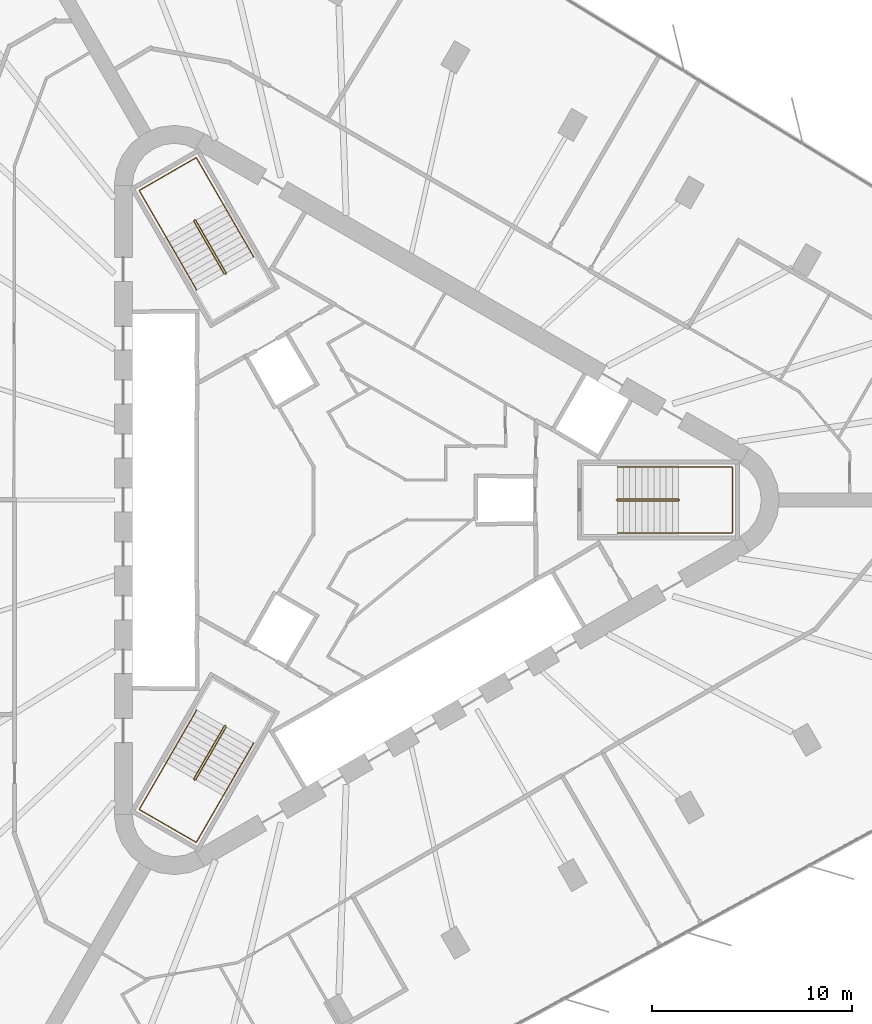
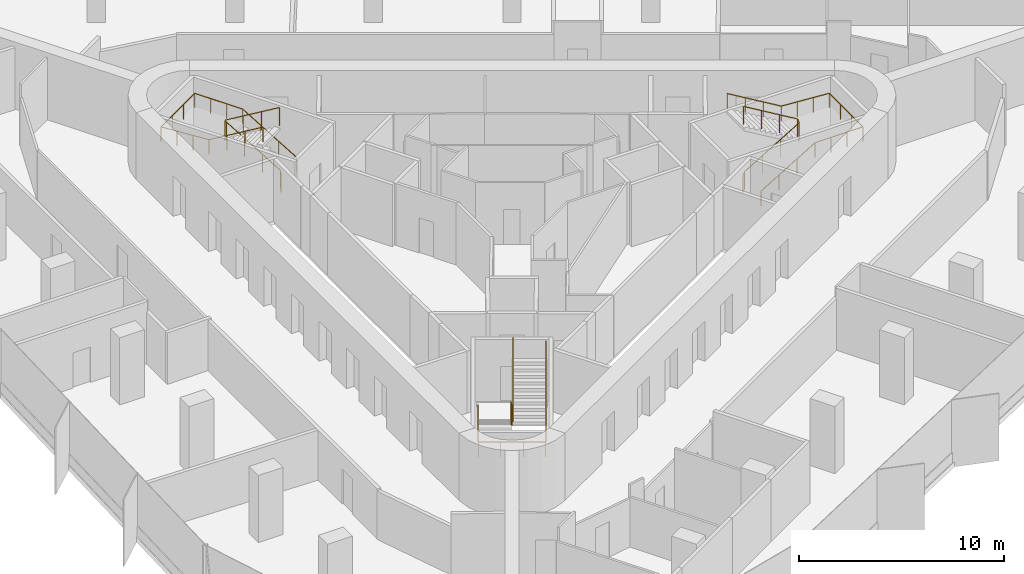
# One storey, part 14 of 14: 6 railings.
"""IFC4 building model written with IfcOpenShell, lengths in metres."""

import ifcopenshell
import ifcopenshell.guid

model = None  # the IFC model being written
_history = None  # IfcOwnerHistory: only IFC2X3 demands one
_inside = {}  # id of a spatial element -> (the spatial element, [elements in it])
_under = {}  # id of a project, library or spatial element -> (it, [spatial elements below it])
_declared = {}  # id of a project -> (the project, [libraries it declares])
_typed = {}  # id of a type object -> (the type object, [elements of that type])
_made_of = {}  # id of a material, layer set ... -> (it, [elements and type objects made of it])


def new_model(schema):
    """Start an empty IFC model of exactly this schema.

    Asked for "IFC4X3", IfcOpenShell would pick the latest addendum, in which some entities
    have other attributes; the version numbers below select the first issue.
    IFC2X3 requires an IfcOwnerHistory on every rooted entity: one is made here for all.
    """
    global model, _history
    if schema == "IFC4X3":
        model = ifcopenshell.file(schema_version=(4, 3, 0, 0))
    else:
        model = ifcopenshell.file(schema=schema)
    _inside.clear()
    _under.clear()
    _declared.clear()
    _typed.clear()
    _made_of.clear()
    _history = None
    if model.schema == "IFC2X3":
        org = make("IfcOrganization", Name="unknown")
        user = make(
            "IfcPersonAndOrganization",
            ThePerson=make("IfcPerson", FamilyName="unknown"),
            TheOrganization=org,
        )
        app = make(
            "IfcApplication",
            ApplicationDeveloper=org,
            Version="unknown",
            ApplicationFullName="unknown",
            ApplicationIdentifier="unknown",
        )
        _history = make(
            "IfcOwnerHistory",
            OwningUser=user,
            OwningApplication=app,
            ChangeAction="ADDED",
            CreationDate=0,
        )
    return model


def make(cls, **values):
    """One entity of the class cls with the attributes given. An attribute that is None is left unset."""
    return model.create_entity(
        cls, **{name: value for name, value in values.items() if value is not None}
    )


def rooted(cls, **values):
    """An entity with a GlobalId (a new one), such as an element, a storey or a relation."""
    return make(cls, GlobalId=ifcopenshell.guid.new(), OwnerHistory=_history, **values)


def si_unit(unit_type, name, prefix=None):
    """IfcSIUnit, for example si_unit("LENGTHUNIT", "METRE", prefix="MILLI")."""
    return make("IfcSIUnit", UnitType=unit_type, Prefix=prefix, Name=name)


def assignment(units):
    """IfcUnitAssignment: the units of a project."""
    return None if units is None else make("IfcUnitAssignment", Units=units)


def point(xyz):
    """IfcCartesianPoint."""
    return None if xyz is None else make("IfcCartesianPoint", Coordinates=xyz)


def direction(xyz):
    """IfcDirection."""
    return None if xyz is None else make("IfcDirection", DirectionRatios=xyz)


def frame(location, z_axis=None, x_axis=None):
    """IfcAxis2Placement3D, a coordinate frame: its origin and axes. An axis left out is left unset."""
    return make(
        "IfcAxis2Placement3D",
        Location=point(location),
        Axis=direction(z_axis),
        RefDirection=direction(x_axis),
    )


def frame_2d(location, x_axis=None):
    """IfcAxis2Placement2D, a coordinate frame in the plane: its origin and x axis."""
    return make(
        "IfcAxis2Placement2D", Location=point(location), RefDirection=direction(x_axis)
    )


def origin():
    """The frame at (0, 0, 0) with its axes left unset."""
    return frame((0.0, 0.0, 0.0))


def origin_2d():
    """The frame at (0, 0) in the plane with its x axis left unset."""
    return frame_2d((0.0, 0.0))


def place(relative_to, where):
    """IfcLocalPlacement: puts the frame where relative to a parent placement (None: the world)."""
    return make(
        "IfcLocalPlacement", PlacementRelTo=relative_to, RelativePlacement=where
    )


def context(
    kind, dimensions, precision=None, world=None, true_north=None, identifier=None
):
    """IfcGeometricRepresentationContext, for example the 3D "Model" context."""
    return make(
        "IfcGeometricRepresentationContext",
        ContextIdentifier=identifier,
        ContextType=kind,
        CoordinateSpaceDimension=dimensions,
        Precision=precision,
        WorldCoordinateSystem=world,
        TrueNorth=true_north,
    )


def subcontext(parent, identifier, kind, view, scale=None):
    """IfcGeometricRepresentationSubContext, for example "Body" below "Model"."""
    return make(
        "IfcGeometricRepresentationSubContext",
        ContextIdentifier=identifier,
        ContextType=kind,
        ParentContext=parent,
        TargetScale=scale,
        TargetView=view,
    )


def project(units=None, contexts=None):
    """IfcProject with its units and contexts."""
    return rooted(
        "IfcProject",
        Name="project",
        RepresentationContexts=contexts,
        UnitsInContext=assignment(units),
    )


def spatial(cls, under=None, at=None, **own):
    """A site, building, storey or space (cls), placed at a placement, below another one or the project."""
    s = rooted(cls, ObjectPlacement=at, **own)
    if under is not None:
        _under.setdefault(under.id(), (under, []))[1].append(s)
    return s


def profile(cls, at=None, kind="AREA", **sizes):
    """A parametric profile (cls). Its sizes go by their IFC names, for example OverallWidth=200.0."""
    return make(cls, ProfileType=kind, Position=at, **sizes)


def circle(**sizes):
    """IfcCircleProfileDef."""
    return profile("IfcCircleProfileDef", **sizes)


def extrude(swept, where, along, depth):
    """IfcExtrudedAreaSolid: the profile swept, set in the frame where, extruded along a direction by depth."""
    return make(
        "IfcExtrudedAreaSolid",
        SweptArea=swept,
        Position=where,
        ExtrudedDirection=direction(along),
        Depth=depth,
    )


def shape(context_of_items, identifier, shape_type, items):
    """IfcShapeRepresentation: the items that make up one representation, for example the "Body"."""
    return make(
        "IfcShapeRepresentation",
        ContextOfItems=context_of_items,
        RepresentationIdentifier=identifier,
        RepresentationType=shape_type,
        Items=items,
    )


def material(Name=None, Category=None):
    """IfcMaterial."""
    return make("IfcMaterial", Name=Name, Category=Category)


def made_of(thing, what):
    """Note that an element or type object is made of a material, layer set ...; save() writes the relation."""
    if what is not None:
        _made_of.setdefault(what.id(), (what, []))[1].append(thing)
    return thing


def type_object(cls, material=None, **own):
    """A type object (cls), such as IfcWallType, which elements share."""
    return made_of(rooted(cls, **own), material)


def element(
    cls,
    number,
    at=None,
    inside=None,
    cuts=None,
    type_object=None,
    material=None,
    context=None,
    identifier="Body",
    shape_type=None,
    held_by="IfcProductDefinitionShape",
    body=None,
    shapes=None,
    **own,
):
    """One element of the class cls, such as IfcWall. Its Tag is "e" and its number.

    at: its placement. inside: the storey or other place that contains it. cuts: it is an
    opening in that element (IfcRelVoidsElement). A single representation is given by context,
    identifier, shape_type and body (its items); several are given by shapes. held_by: the class
    of the entity that holds the representations. save() writes the other relations.
    """
    e = rooted(cls, Tag="e%d" % number, ObjectPlacement=at, **own)
    if body is not None:
        shapes = [shape(context, identifier, shape_type, body)]
    if shapes is not None:
        e.Representation = make(held_by, Representations=shapes)
    if inside is not None:
        _inside.setdefault(inside.id(), (inside, []))[1].append(e)
    if cuts is not None:
        rooted(
            "IfcRelVoidsElement", RelatingBuildingElement=cuts, RelatedOpeningElement=e
        )
    if type_object is not None:
        _typed.setdefault(type_object.id(), (type_object, []))[1].append(e)
    return made_of(e, material)


def aggregate(whole, parts):
    """IfcRelAggregates: a whole, such as a stair, and the parts it consists of."""
    return rooted("IfcRelAggregates", RelatingObject=whole, RelatedObjects=parts)


def save(model, path):
    """Write the relations noted so far, then the file.

    IfcRelAggregates (storeys below a building ...), IfcRelContainedInSpatialStructure (elements
    in a storey), IfcRelDefinesByType, IfcRelAssociatesMaterial and IfcRelDeclares: one each for
    every whole, place, type object, material and project.
    """
    for whole, parts in _under.values():
        aggregate(whole, parts)
    for where, things in _inside.values():
        rooted(
            "IfcRelContainedInSpatialStructure",
            RelatedElements=things,
            RelatingStructure=where,
        )
    for kind, things in _typed.values():
        rooted("IfcRelDefinesByType", RelatedObjects=things, RelatingType=kind)
    for what, things in _made_of.values():
        rooted("IfcRelAssociatesMaterial", RelatedObjects=things, RelatingMaterial=what)
    for by, libraries in _declared.values():
        rooted("IfcRelDeclares", RelatingContext=by, RelatedDefinitions=libraries)
    model.write(path)


model = new_model("IFC4")

# Units and contexts
model_context = context("Model", 3, precision=1e-05, world=origin(), true_north=direction((0.0, 1.0)))
body_context = subcontext(model_context, "Body", "Model", "MODEL_VIEW")
ifc_project = project(units=[si_unit("LENGTHUNIT", "METRE"), si_unit("AREAUNIT", "SQUARE_METRE"), si_unit("VOLUMEUNIT", "CUBIC_METRE"), si_unit("PLANEANGLEUNIT", "RADIAN"), si_unit("MASSUNIT", "GRAM", prefix="KILO")], contexts=[model_context])

# Site, building, storey
site_placement = place(None, origin())
site = spatial("IfcSite", under=ifc_project, at=site_placement, CompositionType="ELEMENT")
building_placement = place(site_placement, origin())
building = spatial("IfcBuilding", under=site, at=building_placement, Name="Tanit Gate Tower", CompositionType="ELEMENT")
storey_placement = place(building_placement, frame((0.0, 0.0, 249.199951171875)))
storey = spatial("IfcBuildingStorey", under=building, at=storey_placement, Name="L56", CompositionType="ELEMENT", Elevation=249.199951171875)

# Railings
ifc_material_1 = material(Name="Stainless steel balustrade", Category="steel")
railing_type_1 = type_object("IfcRailingType", Name="INT-STAIR-GUARD", PredefinedType="GUARDRAIL", material=ifc_material_1)
railing_1_placement = place(storey_placement, frame((13.044921875, 0.0048828125, 0.0)))
element("IfcRailing", 1, at=railing_1_placement, inside=storey, type_object=railing_type_1, Name="L56 S1 stair guard 1", PredefinedType="GUARDRAIL", context=body_context, shape_type="SweptSolid", body=[
    extrude(circle(Radius=0.02392578125, at=origin_2d()), frame((0.0, 0.0, 1.076171875), z_axis=(0.0, -1.0, 0.0), x_axis=(1.0, 0.0, 0.0)), (0.0, 0.0, 1.0), 0.009765625),
    extrude(circle(Radius=0.02392578125, at=origin_2d()), frame((0.0, -0.009765625, 1.076171875), z_axis=(0.256435381639, -0.256435381639, 0.931923704005), x_axis=(0.707106781187, 0.707106781187, 0.0)), (0.0, 0.0, 1.0), 0.195068359375),
    extrude(circle(Radius=0.02392578125, at=origin_2d()), frame((0.050048828125, -0.059814453125, 1.2578125), z_axis=(0.859041732319, 0.0, 0.511905559781), x_axis=(0.0, 1.0, 0.0)), (0.0, 0.0, 1.0), 3.5517578125),
    extrude(circle(Radius=0.02392578125, at=origin_2d()), frame((3.10107421875, -0.059814453125, 3.076171875), z_axis=(0.707106781187, 0.707106781187, 0.0), x_axis=(-0.707106781187, 0.707106781187, 0.0)), (0.0, 0.0, 1.0), 0.07080078125),
    extrude(circle(Radius=0.02392578125, at=origin_2d()), frame((3.151123046875, -0.009765625, 3.076171875), z_axis=(0.0, 1.0, 0.0), x_axis=(-1.0, 0.0, 0.0)), (0.0, 0.0, 1.0), 0.009765625),
    extrude(circle(Radius=0.02392578125, at=origin_2d()), frame((3.151123046875, 0.0, 3.076171875), z_axis=(-0.256435381639, 0.256435381639, 0.931923704005), x_axis=(-0.707106781187, -0.707106781187, 0.0)), (0.0, 0.0, 1.0), 0.195068359375),
    extrude(circle(Radius=0.02392578125, at=origin_2d()), frame((3.10107421875, 0.050048828125, 3.2578125), z_axis=(-0.859041732319, 0.0, 0.511905559781), x_axis=(0.0, -1.0, 0.0)), (0.0, 0.0, 1.0), 3.5517578125),
    extrude(circle(Radius=0.02099609375, at=origin_2d()), origin(), (0.0, 0.0, 1.0), 1.052001953125),
    extrude(circle(Radius=0.02099609375, at=origin_2d()), frame((0.0, -0.009765625, 0.0)), (0.0, 0.0, 1.0), 1.052001953125),
    extrude(circle(Radius=0.02099609375, at=origin_2d()), frame((0.050048828125, -0.059814453125, 0.181884765625)), (0.0, 0.0, 1.0), 1.052001953125),
    extrude(circle(Radius=0.02099609375, at=origin_2d()), frame((1.067138671875, -0.059814453125, 0.787841796875)), (0.0, 0.0, 1.0), 1.052001953125),
    extrude(circle(Radius=0.02099609375, at=origin_2d()), frame((2.083984375, -0.059814453125, 1.39404296875)), (0.0, 0.0, 1.0), 1.052001953125),
    extrude(circle(Radius=0.02099609375, at=origin_2d()), frame((3.10107421875, -0.059814453125, 2.0)), (0.0, 0.0, 1.0), 1.052001953125),
    extrude(circle(Radius=0.02099609375, at=origin_2d()), frame((3.151123046875, -0.009765625, 2.0)), (0.0, 0.0, 1.0), 1.052001953125),
    extrude(circle(Radius=0.02099609375, at=origin_2d()), frame((3.151123046875, 0.0, 2.0)), (0.0, 0.0, 1.0), 1.052001953125),
    extrude(circle(Radius=0.02099609375, at=origin_2d()), frame((3.10107421875, 0.050048828125, 2.181884765625)), (0.0, 0.0, 1.0), 1.052001953125),
    extrude(circle(Radius=0.02099609375, at=origin_2d()), frame((2.083984375, 0.050048828125, 2.787841796875)), (0.0, 0.0, 1.0), 1.052001953125),
    extrude(circle(Radius=0.02099609375, at=origin_2d()), frame((1.067138671875, 0.050048828125, 3.39404296875)), (0.0, 0.0, 1.0), 1.052001953125),
    extrude(circle(Radius=0.02099609375, at=origin_2d()), frame((0.050048828125, 0.050048828125, 4.0)), (0.0, 0.0, 1.0), 1.052001953125),
])
railing_2_placement = place(storey_placement, frame((-6.527099609375, 11.29345703125, 0.0)))
element("IfcRailing", 2, at=railing_2_placement, inside=storey, type_object=railing_type_1, Name="L56 S2 stair guard 1", PredefinedType="GUARDRAIL", context=body_context, shape_type="SweptSolid", body=[
    extrude(circle(Radius=0.02392578125, at=origin_2d()), frame((0.0, 0.0, 1.076171875), z_axis=(0.868243142124, 0.496138938357, 0.0), x_axis=(-0.496138938357, 0.868243142124, 0.0)), (0.0, 0.0, 1.0), 0.01171875),
    extrude(circle(Radius=0.02392578125, at=origin_2d()), frame((0.01025390625, 0.005859375, 1.076171875), z_axis=(0.093819657636, 0.350260055175, 0.93194193252), x_axis=(-0.965948051503, 0.258736085224, 0.0)), (0.0, 0.0, 1.0), 0.195068359375),
    extrude(circle(Radius=0.02392578125, at=origin_2d()), frame((0.028564453125, 0.07421875, 1.2578125), z_axis=(-0.429472220917, 0.743822504634, 0.512134448226), x_axis=(-0.866012246495, -0.500022788402, 0.0)), (0.0, 0.0, 1.0), 3.550048828125),
    extrude(circle(Radius=0.02392578125, at=origin_2d()), frame((-1.49609375, 2.71484375, 3.076171875), z_axis=(-0.965715946433, 0.259601060869, 0.0), x_axis=(-0.259601060869, -0.965715946433, 0.0)), (0.0, 0.0, 1.0), 0.070556640625),
    extrude(circle(Radius=0.02392578125, at=origin_2d()), frame((-1.564208984375, 2.733154296875, 3.076171875), z_axis=(-0.873197702015, -0.487366159264, 0.0), x_axis=(0.487366159264, -0.873197702015, 0.0)), (0.0, 0.0, 1.0), 0.011962890625),
    extrude(circle(Radius=0.02392578125, at=origin_2d()), frame((-1.57470703125, 2.727294921875, 3.076171875), z_axis=(-0.093819657636, -0.350260055175, 0.93194193252), x_axis=(0.965948051503, -0.258736085224, 0.0)), (0.0, 0.0, 1.0), 0.195068359375),
    extrude(circle(Radius=0.02392578125, at=origin_2d()), frame((-1.593017578125, 2.658935546875, 3.2578125), z_axis=(0.429472220917, -0.743822504634, 0.512134448226), x_axis=(0.866012246495, 0.500022788402, 0.0)), (0.0, 0.0, 1.0), 3.550048828125),
    extrude(circle(Radius=0.02099609375, at=origin_2d()), origin(), (0.0, 0.0, 1.0), 1.052001953125),
    extrude(circle(Radius=0.02099609375, at=origin_2d()), frame((0.01025390625, 0.005859375, 0.0)), (0.0, 0.0, 1.0), 1.052001953125),
    extrude(circle(Radius=0.02099609375, at=origin_2d()), frame((0.028564453125, 0.07421875, 0.181884765625)), (0.0, 0.0, 1.0), 1.052001953125),
    extrude(circle(Radius=0.02099609375, at=origin_2d()), frame((-0.479736328125, 0.954345703125, 0.787841796875)), (0.0, 0.0, 1.0), 1.052001953125),
    extrude(circle(Radius=0.02099609375, at=origin_2d()), frame((-0.98779296875, 1.834716796875, 1.39404296875)), (0.0, 0.0, 1.0), 1.052001953125),
    extrude(circle(Radius=0.02099609375, at=origin_2d()), frame((-1.49609375, 2.71484375, 2.0)), (0.0, 0.0, 1.0), 1.052001953125),
    extrude(circle(Radius=0.02099609375, at=origin_2d()), frame((-1.564208984375, 2.733154296875, 2.0)), (0.0, 0.0, 1.0), 1.052001953125),
    extrude(circle(Radius=0.02099609375, at=origin_2d()), frame((-1.57470703125, 2.727294921875, 2.0)), (0.0, 0.0, 1.0), 1.052001953125),
    extrude(circle(Radius=0.02099609375, at=origin_2d()), frame((-1.593017578125, 2.658935546875, 2.181884765625)), (0.0, 0.0, 1.0), 1.052001953125),
    extrude(circle(Radius=0.02099609375, at=origin_2d()), frame((-1.084716796875, 1.77880859375, 2.787841796875)), (0.0, 0.0, 1.0), 1.052001953125),
    extrude(circle(Radius=0.02099609375, at=origin_2d()), frame((-0.57666015625, 0.8984375, 3.39404296875)), (0.0, 0.0, 1.0), 1.052001953125),
    extrude(circle(Radius=0.02099609375, at=origin_2d()), frame((-0.068359375, 0.018310546875, 4.0)), (0.0, 0.0, 1.0), 1.052001953125),
])
railing_3_placement = place(storey_placement, frame((-6.51806640625, -11.2998046875, 0.0)))
element("IfcRailing", 3, at=railing_3_placement, inside=storey, type_object=railing_type_1, Name="L56 S3 stair guard 1", PredefinedType="GUARDRAIL", context=body_context, shape_type="SweptSolid", body=[
    extrude(circle(Radius=0.02392578125, at=origin_2d()), frame((0.0, 0.0, 1.076171875), z_axis=(-0.874157276122, 0.485642931179, 0.0), x_axis=(-0.485642931179, -0.874157276122, 0.0)), (0.0, 0.0, 1.0), 0.010009765625),
    extrude(circle(Radius=0.02392578125, at=origin_2d()), frame((-0.0087890625, 0.0048828125, 1.076171875), z_axis=(-0.350300895388, -0.092579522353, 0.932050596658), x_axis=(0.255512919477, -0.966805641264, 0.0)), (0.0, 0.0, 1.0), 0.195068359375),
    extrude(circle(Radius=0.02392578125, at=origin_2d()), frame((-0.0771484375, -0.01318359375, 1.2578125), z_axis=(-0.429486674828, -0.743971555965, 0.511905772639), x_axis=(0.866048339477, -0.499960272111, 0.0)), (0.0, 0.0, 1.0), 3.5517578125),
    extrude(circle(Radius=0.02392578125, at=origin_2d()), frame((-1.6025390625, -2.655517578125, 3.076171875), z_axis=(0.258736085224, -0.965948051503, 0.0), x_axis=(0.965948051503, 0.258736085224, 0.0)), (0.0, 0.0, 1.0), 0.07080078125),
    extrude(circle(Radius=0.02392578125, at=origin_2d()), frame((-1.584228515625, -2.723876953125, 3.076171875), z_axis=(0.868243142124, -0.496138938357, 0.0), x_axis=(0.496138938357, 0.868243142124, 0.0)), (0.0, 0.0, 1.0), 0.009765625),
    extrude(circle(Radius=0.02392578125, at=origin_2d()), frame((-1.57568359375, -2.728759765625, 3.076171875), z_axis=(0.350260055175, 0.093819657636, 0.93194193252), x_axis=(-0.258736085224, 0.965948051503, 0.0)), (0.0, 0.0, 1.0), 0.195068359375),
    extrude(circle(Radius=0.02392578125, at=origin_2d()), frame((-1.50732421875, -2.71044921875, 3.2578125), z_axis=(0.429564698942, 0.743918894535, 0.511916836777), x_axis=(-0.865993683553, 0.500054937028, 0.0)), (0.0, 0.0, 1.0), 3.551513671875),
    extrude(circle(Radius=0.02099609375, at=origin_2d()), origin(), (0.0, 0.0, 1.0), 1.052001953125),
    extrude(circle(Radius=0.02099609375, at=origin_2d()), frame((-0.0087890625, 0.0048828125, 0.0)), (0.0, 0.0, 1.0), 1.052001953125),
    extrude(circle(Radius=0.02099609375, at=origin_2d()), frame((-0.0771484375, -0.01318359375, 0.181884765625)), (0.0, 0.0, 1.0), 1.052001953125),
    extrude(circle(Radius=0.02099609375, at=origin_2d()), frame((-0.585693359375, -0.89404296875, 0.787841796875)), (0.0, 0.0, 1.0), 1.052001953125),
    extrude(circle(Radius=0.02099609375, at=origin_2d()), frame((-1.093994140625, -1.774658203125, 1.39404296875)), (0.0, 0.0, 1.0), 1.052001953125),
    extrude(circle(Radius=0.02099609375, at=origin_2d()), frame((-1.6025390625, -2.655517578125, 2.0)), (0.0, 0.0, 1.0), 1.052001953125),
    extrude(circle(Radius=0.02099609375, at=origin_2d()), frame((-1.584228515625, -2.723876953125, 2.0)), (0.0, 0.0, 1.0), 1.052001953125),
    extrude(circle(Radius=0.02099609375, at=origin_2d()), frame((-1.57568359375, -2.728759765625, 2.0)), (0.0, 0.0, 1.0), 1.052001953125),
    extrude(circle(Radius=0.02099609375, at=origin_2d()), frame((-1.50732421875, -2.71044921875, 2.181884765625)), (0.0, 0.0, 1.0), 1.052001953125),
    extrude(circle(Radius=0.02099609375, at=origin_2d()), frame((-0.998779296875, -1.829833984375, 2.787841796875)), (0.0, 0.0, 1.0), 1.052001953125),
    extrude(circle(Radius=0.02099609375, at=origin_2d()), frame((-0.490234375, -0.948974609375, 3.39404296875)), (0.0, 0.0, 1.0), 1.052001953125),
    extrude(circle(Radius=0.02099609375, at=origin_2d()), frame((0.018310546875, -0.068359375, 4.0)), (0.0, 0.0, 1.0), 1.052001953125),
])
ifc_material_2 = material(Name="Stainless steel handrail", Category="steel")
railing_type_2 = type_object("IfcRailingType", Name="INT-STAIR-HANDRAIL", PredefinedType="HANDRAIL", material=ifc_material_2)
railing_4_placement = place(storey_placement, frame((13.094970703125, -1.64990234375, 0.181884765625)))
element("IfcRailing", 4, at=railing_4_placement, inside=storey, type_object=railing_type_2, Name="L56 S1 stair handrail 1", PredefinedType="HANDRAIL", context=body_context, shape_type="SweptSolid", body=[
    extrude(circle(Radius=0.02392578125, at=origin_2d()), frame((0.0, 0.0, 0.8759765625), z_axis=(0.859041732319, 0.0, 0.511905559781), x_axis=(0.0, 1.0, 0.0)), (0.0, 0.0, 1.0), 3.5517578125),
    extrude(circle(Radius=0.02392578125, at=origin_2d()), frame((3.051025390625, 0.0, 2.69384765625), z_axis=(1.0, 0.0, 0.0), x_axis=(0.0, 1.0, 0.0)), (0.0, 0.0, 1.0), 2.7041015625),
    extrude(circle(Radius=0.02392578125, at=origin_2d()), frame((5.755126953125, 0.0, 2.69384765625), z_axis=(0.0, 1.0, 0.0), x_axis=(-1.0, 0.0, 0.0)), (0.0, 0.0, 1.0), 3.2998046875),
    extrude(circle(Radius=0.02392578125, at=origin_2d()), frame((5.755126953125, 3.2998046875, 2.69384765625), z_axis=(-0.997745521698, 0.0, 0.067110907698), x_axis=(0.0, -1.0, 0.0)), (0.0, 0.0, 1.0), 2.710205078125),
    extrude(circle(Radius=0.02392578125, at=origin_2d()), frame((3.051025390625, 3.2998046875, 2.8759765625), z_axis=(-0.859041732319, 0.0, 0.511905559781), x_axis=(0.0, -1.0, 0.0)), (0.0, 0.0, 1.0), 3.5517578125),
    extrude(circle(Radius=0.02099609375, at=origin_2d()), origin(), (0.0, 0.0, 1.0), 0.851806640625),
    extrude(circle(Radius=0.02099609375, at=origin_2d()), frame((1.01708984375, 0.0, 0.60595703125)), (0.0, 0.0, 1.0), 0.851806640625),
    extrude(circle(Radius=0.02099609375, at=origin_2d()), frame((2.033935546875, 0.0, 1.212158203125)), (0.0, 0.0, 1.0), 0.851806640625),
    extrude(circle(Radius=0.02099609375, at=origin_2d()), frame((3.051025390625, 0.0, 1.818115234375)), (0.0, 0.0, 1.0), 0.851806640625),
    extrude(circle(Radius=0.02099609375, at=origin_2d()), frame((3.952392578125, 0.0, 1.818115234375)), (0.0, 0.0, 1.0), 0.851806640625),
    extrude(circle(Radius=0.02099609375, at=origin_2d()), frame((4.853759765625, 0.0, 1.818115234375)), (0.0, 0.0, 1.0), 0.851806640625),
    extrude(circle(Radius=0.02099609375, at=origin_2d()), frame((5.755126953125, 0.0, 1.818115234375)), (0.0, 0.0, 1.0), 0.851806640625),
    extrude(circle(Radius=0.02099609375, at=origin_2d()), frame((5.755126953125, 1.099853515625, 1.818115234375)), (0.0, 0.0, 1.0), 0.851806640625),
    extrude(circle(Radius=0.02099609375, at=origin_2d()), frame((5.755126953125, 2.199951171875, 1.818115234375)), (0.0, 0.0, 1.0), 0.851806640625),
    extrude(circle(Radius=0.02099609375, at=origin_2d()), frame((5.755126953125, 3.2998046875, 1.818115234375)), (0.0, 0.0, 1.0), 0.851806640625),
    extrude(circle(Radius=0.02099609375, at=origin_2d()), frame((4.853759765625, 3.2998046875, 1.878662109375)), (0.0, 0.0, 1.0), 0.851806640625),
    extrude(circle(Radius=0.02099609375, at=origin_2d()), frame((3.952392578125, 3.2998046875, 1.939453125)), (0.0, 0.0, 1.0), 0.851806640625),
    extrude(circle(Radius=0.02099609375, at=origin_2d()), frame((3.051025390625, 3.2998046875, 2.0)), (0.0, 0.0, 1.0), 0.851806640625),
    extrude(circle(Radius=0.02099609375, at=origin_2d()), frame((2.033935546875, 3.2998046875, 2.60595703125)), (0.0, 0.0, 1.0), 0.851806640625),
    extrude(circle(Radius=0.02099609375, at=origin_2d()), frame((1.01708984375, 3.2998046875, 3.212158203125)), (0.0, 0.0, 1.0), 0.851806640625),
    extrude(circle(Radius=0.02099609375, at=origin_2d()), frame((0.0, 3.2998046875, 3.818115234375)), (0.0, 0.0, 1.0), 0.851806640625),
])
railing_5_placement = place(storey_placement, frame((-5.1181640625, 12.164794921875, 0.181884765625)))
element("IfcRailing", 5, at=railing_5_placement, inside=storey, type_object=railing_type_2, Name="L56 S2 stair handrail 1", PredefinedType="HANDRAIL", context=body_context, shape_type="SweptSolid", body=[
    extrude(circle(Radius=0.02392578125, at=origin_2d()), frame((0.0, 0.0, 0.8759765625), z_axis=(-0.429416132344, 0.743844472684, 0.512149573602), x_axis=(-0.866046917185, -0.499962735845, 0.0)), (0.0, 0.0, 1.0), 3.550048828125),
    extrude(circle(Radius=0.02392578125, at=origin_2d()), frame((-1.5244140625, 2.640625, 2.69384765625), z_axis=(-0.500019123664, 0.86601436245, 0.0), x_axis=(-0.86601436245, -0.500019123664, 0.0)), (0.0, 0.0, 1.0), 2.70703125),
    extrude(circle(Radius=0.02392578125, at=origin_2d()), frame((-2.8779296875, 4.98486328125, 2.69384765625), z_axis=(-0.866008176907, -0.50002983664, 0.0), x_axis=(0.50002983664, -0.866008176907, 0.0)), (0.0, 0.0, 1.0), 3.300048828125),
    extrude(circle(Radius=0.02392578125, at=origin_2d()), frame((-5.73583984375, 3.334716796875, 2.69384765625), z_axis=(0.498932980467, -0.864043208057, 0.067046369128), x_axis=(0.865991810323, 0.500058181068, 0.0)), (0.0, 0.0, 1.0), 2.712890625),
    extrude(circle(Radius=0.02392578125, at=origin_2d()), frame((-4.38232421875, 0.99072265625, 2.8759765625), z_axis=(0.429450252752, -0.743853224023, 0.512108251761), x_axis=(0.866032263162, 0.499988119021, 0.0)), (0.0, 0.0, 1.0), 3.55029296875),
    extrude(circle(Radius=0.02099609375, at=origin_2d()), origin(), (0.0, 0.0, 1.0), 0.851806640625),
    extrude(circle(Radius=0.02099609375, at=origin_2d()), frame((-0.508056640625, 0.880126953125, 0.60595703125)), (0.0, 0.0, 1.0), 0.851806640625),
    extrude(circle(Radius=0.02099609375, at=origin_2d()), frame((-1.016357421875, 1.760498046875, 1.212158203125)), (0.0, 0.0, 1.0), 0.851806640625),
    extrude(circle(Radius=0.02099609375, at=origin_2d()), frame((-1.5244140625, 2.640625, 1.818115234375)), (0.0, 0.0, 1.0), 0.851806640625),
    extrude(circle(Radius=0.02099609375, at=origin_2d()), frame((-1.9755859375, 3.422119140625, 1.818115234375)), (0.0, 0.0, 1.0), 0.851806640625),
    extrude(circle(Radius=0.02099609375, at=origin_2d()), frame((-2.4267578125, 4.203369140625, 1.818115234375)), (0.0, 0.0, 1.0), 0.851806640625),
    extrude(circle(Radius=0.02099609375, at=origin_2d()), frame((-2.8779296875, 4.98486328125, 1.818115234375)), (0.0, 0.0, 1.0), 0.851806640625),
    extrude(circle(Radius=0.02099609375, at=origin_2d()), frame((-3.83056640625, 4.434814453125, 1.818115234375)), (0.0, 0.0, 1.0), 0.851806640625),
    extrude(circle(Radius=0.02099609375, at=origin_2d()), frame((-4.783203125, 3.884765625, 1.818115234375)), (0.0, 0.0, 1.0), 0.851806640625),
    extrude(circle(Radius=0.02099609375, at=origin_2d()), frame((-5.73583984375, 3.334716796875, 1.818115234375)), (0.0, 0.0, 1.0), 0.851806640625),
    extrude(circle(Radius=0.02099609375, at=origin_2d()), frame((-5.28466796875, 2.553466796875, 1.878662109375)), (0.0, 0.0, 1.0), 0.851806640625),
    extrude(circle(Radius=0.02099609375, at=origin_2d()), frame((-4.83349609375, 1.77197265625, 1.939453125)), (0.0, 0.0, 1.0), 0.851806640625),
    extrude(circle(Radius=0.02099609375, at=origin_2d()), frame((-4.38232421875, 0.99072265625, 2.0)), (0.0, 0.0, 1.0), 0.851806640625),
    extrude(circle(Radius=0.02099609375, at=origin_2d()), frame((-3.8740234375, 0.1103515625, 2.60595703125)), (0.0, 0.0, 1.0), 0.851806640625),
    extrude(circle(Radius=0.02099609375, at=origin_2d()), frame((-3.365966796875, -0.769775390625, 3.212158203125)), (0.0, 0.0, 1.0), 0.851806640625),
    extrude(circle(Radius=0.02099609375, at=origin_2d()), frame((-2.857666015625, -1.650146484375, 3.818115234375)), (0.0, 0.0, 1.0), 0.851806640625),
])
railing_6_placement = place(storey_placement, frame((-7.9765625, -10.515625, 0.181884765625)))
element("IfcRailing", 6, at=railing_6_placement, inside=storey, type_object=railing_type_2, Name="L56 S3 stair handrail 1", PredefinedType="HANDRAIL", context=body_context, shape_type="SweptSolid", body=[
    extrude(circle(Radius=0.02392578125, at=origin_2d()), frame((0.0, 0.0, 0.8759765625), z_axis=(-0.429486674828, -0.743971555965, 0.511905772639), x_axis=(0.866048339477, -0.499960272111, 0.0)), (0.0, 0.0, 1.0), 3.5517578125),
    extrude(circle(Radius=0.02392578125, at=origin_2d()), frame((-1.525390625, -2.642333984375, 2.69384765625), z_axis=(-0.50004290449, -0.866000631449, 0.0), x_axis=(0.866000631449, -0.50004290449, 0.0)), (0.0, 0.0, 1.0), 2.703857421875),
    extrude(circle(Radius=0.02392578125, at=origin_2d()), frame((-2.87744140625, -4.98388671875, 2.69384765625), z_axis=(0.866008176907, -0.50002983664, 0.0), x_axis=(0.50002983664, 0.866008176907, 0.0)), (0.0, 0.0, 1.0), 3.300048828125),
    extrude(circle(Radius=0.02392578125, at=origin_2d()), frame((-0.01953125, -6.634033203125, 2.69384765625), z_axis=(0.498876541924, 0.864070745781, 0.067111416348), x_axis=(-0.866023205937, 0.500003806764, 0.0)), (0.0, 0.0, 1.0), 2.710205078125),
    extrude(circle(Radius=0.02392578125, at=origin_2d()), frame((1.33251953125, -4.292236328125, 2.8759765625), z_axis=(0.429486674828, 0.743971555965, 0.511905772639), x_axis=(-0.866048339477, 0.499960272111, 0.0)), (0.0, 0.0, 1.0), 3.5517578125),
    extrude(circle(Radius=0.02099609375, at=origin_2d()), origin(), (0.0, 0.0, 1.0), 0.851806640625),
    extrude(circle(Radius=0.02099609375, at=origin_2d()), frame((-0.508544921875, -0.880859375, 0.60595703125)), (0.0, 0.0, 1.0), 0.851806640625),
    extrude(circle(Radius=0.02099609375, at=origin_2d()), frame((-1.016845703125, -1.761474609375, 1.212158203125)), (0.0, 0.0, 1.0), 0.851806640625),
    extrude(circle(Radius=0.02099609375, at=origin_2d()), frame((-1.525390625, -2.642333984375, 1.818115234375)), (0.0, 0.0, 1.0), 0.851806640625),
    extrude(circle(Radius=0.02099609375, at=origin_2d()), frame((-1.97607421875, -3.4228515625, 1.818115234375)), (0.0, 0.0, 1.0), 0.851806640625),
    extrude(circle(Radius=0.02099609375, at=origin_2d()), frame((-2.4267578125, -4.203369140625, 1.818115234375)), (0.0, 0.0, 1.0), 0.851806640625),
    extrude(circle(Radius=0.02099609375, at=origin_2d()), frame((-2.87744140625, -4.98388671875, 1.818115234375)), (0.0, 0.0, 1.0), 0.851806640625),
    extrude(circle(Radius=0.02099609375, at=origin_2d()), frame((-1.9248046875, -5.533935546875, 1.818115234375)), (0.0, 0.0, 1.0), 0.851806640625),
    extrude(circle(Radius=0.02099609375, at=origin_2d()), frame((-0.97216796875, -6.083984375, 1.818115234375)), (0.0, 0.0, 1.0), 0.851806640625),
    extrude(circle(Radius=0.02099609375, at=origin_2d()), frame((-0.01953125, -6.634033203125, 1.818115234375)), (0.0, 0.0, 1.0), 0.851806640625),
    extrude(circle(Radius=0.02099609375, at=origin_2d()), frame((0.43115234375, -5.853515625, 1.878662109375)), (0.0, 0.0, 1.0), 0.851806640625),
    extrude(circle(Radius=0.02099609375, at=origin_2d()), frame((0.8818359375, -5.07275390625, 1.939453125)), (0.0, 0.0, 1.0), 0.851806640625),
    extrude(circle(Radius=0.02099609375, at=origin_2d()), frame((1.33251953125, -4.292236328125, 2.0)), (0.0, 0.0, 1.0), 0.851806640625),
    extrude(circle(Radius=0.02099609375, at=origin_2d()), frame((1.841064453125, -3.411376953125, 2.60595703125)), (0.0, 0.0, 1.0), 0.851806640625),
    extrude(circle(Radius=0.02099609375, at=origin_2d()), frame((2.349365234375, -2.53076171875, 3.212158203125)), (0.0, 0.0, 1.0), 0.851806640625),
    extrude(circle(Radius=0.02099609375, at=origin_2d()), frame((2.85791015625, -1.64990234375, 3.818115234375)), (0.0, 0.0, 1.0), 0.851806640625),
])

save(model, "model.ifc")
